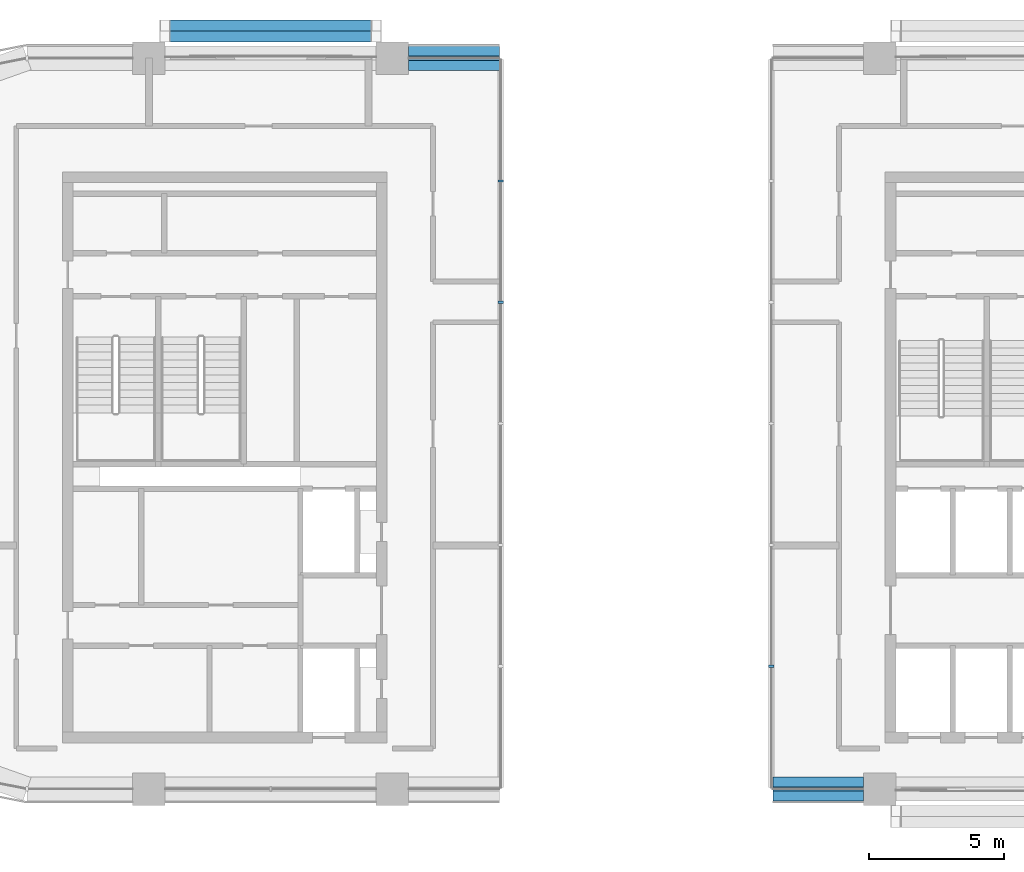
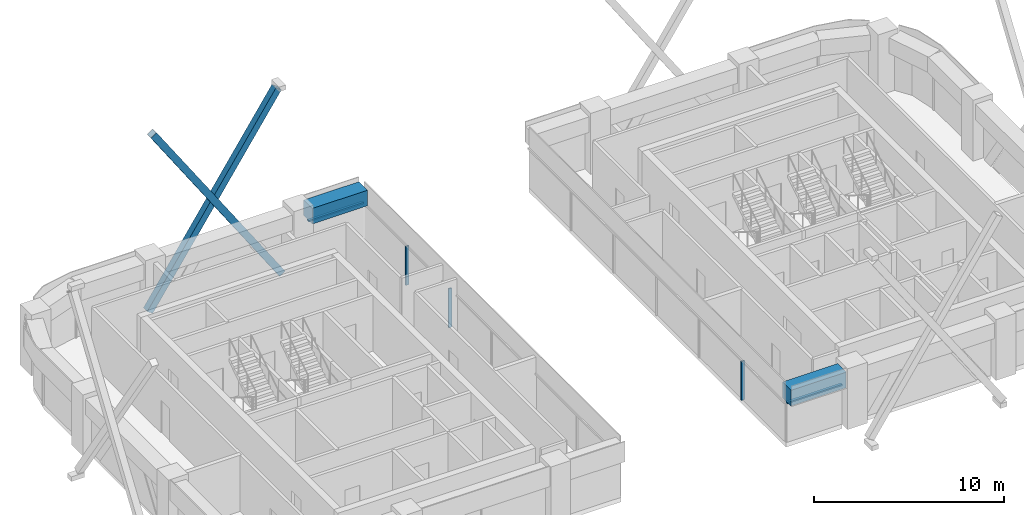
# One storey, part 3 of 14: 7 members, 2 beams, 4 elements without a shape of their own.
"""IFC4 building model written with IfcOpenShell, lengths in metres."""

from ifc_helpers import new_model, si_unit, direction, frame, origin, origin_2d, place, context, subcontext, project, spatial, rectangle, hollow_rectangle, extrude, material, material_profile, profile_set, type_object, element, aggregate, save


model = new_model("IFC4")

# Units and contexts
model_context = context("Model", 3, precision=1e-05, world=origin(), true_north=direction((0.0, 1.0)))
body_context = subcontext(model_context, "Body", "Model", "MODEL_VIEW")
ifc_project = project(units=[si_unit("LENGTHUNIT", "METRE"), si_unit("AREAUNIT", "SQUARE_METRE"), si_unit("VOLUMEUNIT", "CUBIC_METRE"), si_unit("PLANEANGLEUNIT", "RADIAN"), si_unit("MASSUNIT", "GRAM", prefix="KILO")], contexts=[model_context])

# Site, building, storey
site_placement = place(None, origin())
site = spatial("IfcSite", under=ifc_project, at=site_placement, CompositionType="ELEMENT")
building_placement = place(site_placement, origin())
building = spatial("IfcBuilding", under=site, at=building_placement, Name="Tessera Arch", CompositionType="ELEMENT")
storey_placement = place(building_placement, frame((0.0, 0.0, 215.0)))
storey = spatial("IfcBuildingStorey", under=building, at=storey_placement, Name="L51", CompositionType="ELEMENT", Elevation=215.0)

# Members
ifc_material_1 = material(Name="Steel A500 Gr C", Category="steel")
ifc_material_profile_1 = material_profile(ifc_material_1, hollow_rectangle(XDim=0.406494140625, YDim=0.406494140625, WallThickness=0.0146484375, at=origin_2d()), Name="HSS16x16x5/8")
ifc_profile_set_1 = profile_set([ifc_material_profile_1], Name="Steel A500 Gr C")
member_type_1 = type_object("IfcMemberType", Name="Brace HSS16x16x5/8 Steel A500 Gr C", PredefinedType="BRACE", material=ifc_profile_set_1)
for number, where, z_axis, x_axis, name in (
    (1, (17.39990234375, 54.80322265625, -0.800048828125), (-0.557984732827, 0.0, 0.829851214334), (0.0, -1.0, 0.0), "Brace N54.0-1 A L51-L53"),
    (2, (9.60009765625, 55.209716796875, -0.800048828125), (0.557984732827, 0.0, 0.829851214334), (0.0, 1.0, 0.0), "Brace N54.0-1 B L51-L53"),
):
    element("IfcMember", number, at=place(storey_placement, frame(where, z_axis=z_axis, x_axis=x_axis)), inside=storey, type_object=member_type_1, Name=name, PredefinedType="BRACE", context=body_context, shape_type="SweptSolid", body=[
        extrude(hollow_rectangle(XDim=0.406494140625, YDim=0.406494140625, WallThickness=0.0146484375, at=origin_2d()), origin(), (0.0, 0.0, 1.0), 13.978515625),
    ])

# Curtain wall, member
ifc_material_2 = material(Name="CW1 curtain wall")
curtain_wall_type_1 = type_object("IfcCurtainWallType", Name="CW1 curtain wall", PredefinedType="NOTDEFINED", material=ifc_material_2)
curtain_wall_1_placement = place(storey_placement, origin())
curtain_wall_1 = element("IfcCurtainWall", 3, at=curtain_wall_1_placement, inside=storey, type_object=curtain_wall_type_1, Name="CW1 curtain wall N54.0/0 L51", PredefinedType="NOTDEFINED")
ifc_material_3 = material(Name="Anodised aluminium pale metal", Category="aluminium")
ifc_material_profile_2 = material_profile(ifc_material_3, rectangle(XDim=0.159912109375, YDim=0.10009765625, at=origin_2d()), Name="AL 160x100")
ifc_profile_set_2 = profile_set([ifc_material_profile_2], Name="Anodised aluminium pale metal")
member_type_2 = type_object("IfcMemberType", Name="CW1 transom", PredefinedType="USERDEFINED", material=ifc_profile_set_2)
member_1_placement = place(storey_placement, frame((21.949951171875, 54.0, 2.550048828125), z_axis=(-1.0, 0.0, 0.0), x_axis=(0.0, -1.0, 0.0)))
member_1 = element("IfcMember", 4, at=member_1_placement, type_object=member_type_2, Name="CW1 transom N54.0/0 1.1", ObjectType="TRANSOM", PredefinedType="USERDEFINED", context=body_context, shape_type="SweptSolid", body=[
    extrude(rectangle(XDim=0.159912109375, YDim=0.10009765625, at=origin_2d()), origin(), (0.0, 0.0, 1.0), 3.349853515625),
])
aggregate(curtain_wall_1, [member_1])

curtain_wall_2_placement = place(storey_placement, origin())
curtain_wall_2 = element("IfcCurtainWall", 5, at=curtain_wall_2_placement, inside=storey, type_object=curtain_wall_type_1, Name="CW1 curtain wall S27.32/0 L51", PredefinedType="NOTDEFINED")
member_2_placement = place(storey_placement, frame((32.050048828125, 27.0, 2.550048828125), z_axis=(1.0, 0.0, 0.0), x_axis=(0.0, 1.0, 0.0)))
member_2 = element("IfcMember", 6, at=member_2_placement, type_object=member_type_2, Name="CW1 transom S27.32/0 1.1", ObjectType="TRANSOM", PredefinedType="USERDEFINED", context=body_context, shape_type="SweptSolid", body=[
    extrude(rectangle(XDim=0.159912109375, YDim=0.10009765625, at=origin_2d()), origin(), (0.0, 0.0, 1.0), 3.349853515625),
])
aggregate(curtain_wall_2, [member_2])

# Curtain wall, members
ifc_material_4 = material(Name="CW5 curtain wall")
curtain_wall_type_2 = type_object("IfcCurtainWallType", Name="CW5 curtain wall", PredefinedType="NOTDEFINED", material=ifc_material_4)
curtain_wall_3_placement = place(storey_placement, origin())
curtain_wall_3 = element("IfcCurtainWall", 7, at=curtain_wall_3_placement, inside=storey, type_object=curtain_wall_type_2, Name="CW5 curtain wall E22.27/0 L51", PredefinedType="NOTDEFINED")
ifc_material_5 = material(Name="Anodised aluminium pale metal", Category="aluminium")
ifc_material_profile_3 = material_profile(ifc_material_5, rectangle(XDim=0.199951171875, YDim=0.080078125, at=origin_2d()), Name="AL 80x200")
ifc_profile_set_3 = profile_set([ifc_material_profile_3], Name="Anodised aluminium pale metal")
member_type_3 = type_object("IfcMemberType", Name="CW5 mullion", PredefinedType="MULLION", material=ifc_profile_set_3)
member_3_placement = place(storey_placement, frame((22.0, 44.9833984375, 0.0), z_axis=(0.0, 0.0, 1.0), x_axis=(-1.0, 0.0, 0.0)))
member_3 = element("IfcMember", 8, at=member_3_placement, type_object=member_type_3, Name="CW5 mullion E22.27/0 4", PredefinedType="MULLION", context=body_context, shape_type="SweptSolid", body=[
    extrude(rectangle(XDim=0.199951171875, YDim=0.080078125, at=origin_2d()), origin(), (0.0, 0.0, 1.0), 2.5),
])
member_4_placement = place(storey_placement, frame((22.0, 49.466552734375, 0.0), z_axis=(0.0, 0.0, 1.0), x_axis=(-1.0, 0.0, 0.0)))
member_4 = element("IfcMember", 9, at=member_4_placement, type_object=member_type_3, Name="CW5 mullion E22.27/0 5", PredefinedType="MULLION", context=body_context, shape_type="SweptSolid", body=[
    extrude(rectangle(XDim=0.199951171875, YDim=0.080078125, at=origin_2d()), origin(), (0.0, 0.0, 1.0), 2.5),
])
aggregate(curtain_wall_3, [member_3, member_4])

# Curtain wall, member
curtain_wall_4_placement = place(storey_placement, origin())
curtain_wall_4 = element("IfcCurtainWall", 10, at=curtain_wall_4_placement, inside=storey, type_object=curtain_wall_type_2, Name="CW5 curtain wall W32.27/0 L51", PredefinedType="NOTDEFINED")
member_5_placement = place(storey_placement, frame((32.0, 31.533447265625, 0.0), z_axis=(0.0, 0.0, 1.0), x_axis=(1.0, 0.0, 0.0)))
member_5 = element("IfcMember", 11, at=member_5_placement, type_object=member_type_3, Name="CW5 mullion W32.27/0 5", PredefinedType="MULLION", context=body_context, shape_type="SweptSolid", body=[
    extrude(rectangle(XDim=0.199951171875, YDim=0.080078125, at=origin_2d()), origin(), (0.0, 0.0, 1.0), 2.5),
])
aggregate(curtain_wall_4, [member_5])

# Beams
ifc_material_6 = material(Name="Concrete C60/75", Category="concrete")
ifc_material_profile_4 = material_profile(ifc_material_6, rectangle(XDim=0.89990234375, YDim=1.0, at=origin_2d()), Name="RC spandrel beam 900 x 1000 Concrete C60/75")
ifc_profile_set_4 = profile_set([ifc_material_profile_4], Name="Concrete C60/75")
beam_type = type_object("IfcBeamType", Name="RC spandrel beam 900 x 1000 Concrete C60/75", PredefinedType="BEAM", material=ifc_profile_set_4)
for number, where, z_axis, x_axis, name in (
    (12, (21.949951171875, 54.0, 3.10009765625), (-1.0, 0.0, 0.0), (0.0, -1.0, 0.0), "Spandrel beam L51 N54.0/0"),
    (13, (32.050048828125, 27.0, 3.10009765625), (1.0, 0.0, 0.0), (0.0, 1.0, 0.0), "Spandrel beam L51 S27.32/0"),
):
    element("IfcBeam", number, at=place(storey_placement, frame(where, z_axis=z_axis, x_axis=x_axis)), inside=storey, type_object=beam_type, Name=name, PredefinedType="BEAM", context=body_context, shape_type="SweptSolid", body=[
        extrude(rectangle(XDim=0.89990234375, YDim=1.0, at=origin_2d()), origin(), (0.0, 0.0, 1.0), 3.349853515625),
    ])

save(model, "model.ifc")
